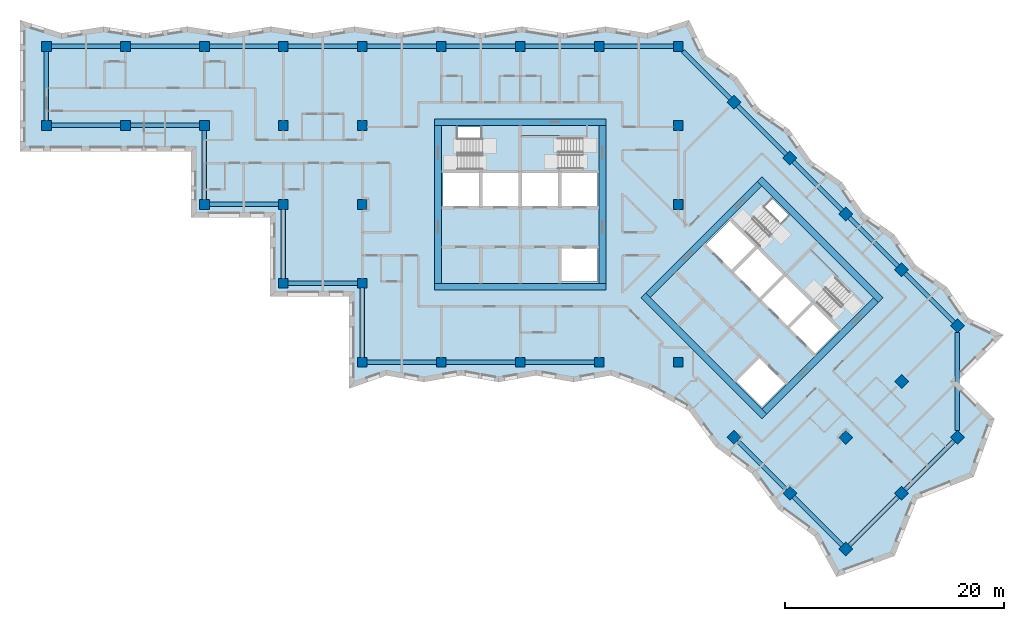
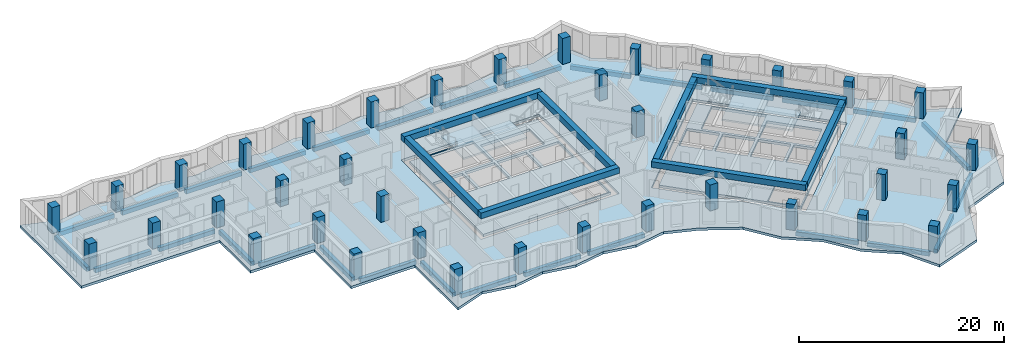
# One storey, part 1 of 12: 38 columns, 37 beams, 7 slabs, 16 openings, 4 elements without a shape of their own.
"""IFC4 building model written with IfcOpenShell, lengths in metres."""

from ifc_helpers import new_model, si_unit, direction, frame, origin, origin_2d, place, context, subcontext, project, spatial, polyline, rectangle, outline, extrude, material, layer, layer_set, material_profile, profile_set, type_object, element, aggregate, save


model = new_model("IFC4")

# Units and contexts
model_context = context("Model", 3, precision=1e-05, world=origin(), true_north=direction((0.0, 1.0)))
body_context = subcontext(model_context, "Body", "Model", "MODEL_VIEW")
ifc_project = project(units=[si_unit("LENGTHUNIT", "METRE"), si_unit("AREAUNIT", "SQUARE_METRE"), si_unit("VOLUMEUNIT", "CUBIC_METRE"), si_unit("PLANEANGLEUNIT", "RADIAN"), si_unit("MASSUNIT", "GRAM", prefix="KILO")], contexts=[model_context])

# Site, building, storey
site_placement = place(None, origin())
site = spatial("IfcSite", under=ifc_project, at=site_placement, CompositionType="ELEMENT")
building_placement = place(site_placement, origin())
building = spatial("IfcBuilding", under=site, at=building_placement, Name="Windrow Commons", CompositionType="ELEMENT")
storey_placement = place(building_placement, frame((0.0, 0.0, 169.4)))
storey = spatial("IfcBuildingStorey", under=building, at=storey_placement, Name="L46", CompositionType="ELEMENT", Elevation=169.4)

# Columns
ifc_material_1 = material(Name="Concrete C50/60", Category="concrete")
ifc_material_profile_1 = material_profile(ifc_material_1, rectangle(XDim=0.9, YDim=0.9, at=origin_2d()))
ifc_profile_set_1 = profile_set([ifc_material_profile_1], Name="Concrete C50/60")
column_type = type_object("IfcColumnType", Name="RC COLUMN 900x900 C50/60", PredefinedType="COLUMN", material=ifc_profile_set_1)
for number, where, z_axis, x_axis, name in (
    (1, (21.6, 64.8, 0.0), (0.0, 0.0, 1.0), (1.0, 0.0, 0.0), "C-Z3-04I"),
    (2, (21.6, 72.0, 0.0), (0.0, 0.0, 1.0), (1.0, 0.0, 0.0), "C-Z3-04J"),
    (3, (28.8, 64.8, 0.0), (0.0, 0.0, 1.0), (1.0, 0.0, 0.0), "C-Z3-05I"),
    (4, (28.8, 72.0, 0.0), (0.0, 0.0, 1.0), (1.0, 0.0, 0.0), "C-Z3-05J"),
    (5, (36.0, 57.6, 0.0), (0.0, 0.0, 1.0), (1.0, 0.0, 0.0), "C-Z3-06H"),
    (6, (36.0, 64.8, 0.0), (0.0, 0.0, 1.0), (1.0, 0.0, 0.0), "C-Z3-06I"),
    (7, (36.0, 72.0, 0.0), (0.0, 0.0, 1.0), (1.0, 0.0, 0.0), "C-Z3-06J"),
    (8, (43.2, 50.4, 0.0), (0.0, 0.0, 1.0), (1.0, 0.0, 0.0), "C-Z3-07G"),
    (9, (43.2, 57.6, 0.0), (0.0, 0.0, 1.0), (1.0, 0.0, 0.0), "C-Z3-07H"),
    (10, (43.2, 64.8, 0.0), (0.0, 0.0, 1.0), (1.0, 0.0, 0.0), "C-Z3-07I"),
    (11, (43.2, 72.0, 0.0), (0.0, 0.0, 1.0), (1.0, 0.0, 0.0), "C-Z3-07J"),
    (12, (50.4, 43.2, 0.0), (0.0, 0.0, 1.0), (1.0, 0.0, 0.0), "C-Z3-08F"),
    (13, (50.4, 50.4, 0.0), (0.0, 0.0, 1.0), (1.0, 0.0, 0.0), "C-Z3-08G"),
    (14, (50.4, 57.6, 0.0), (0.0, 0.0, 1.0), (1.0, 0.0, 0.0), "C-Z3-08H"),
    (15, (50.4, 64.8, 0.0), (0.0, 0.0, 1.0), (1.0, 0.0, 0.0), "C-Z3-08I"),
    (16, (50.4, 72.0, 0.0), (0.0, 0.0, 1.0), (1.0, 0.0, 0.0), "C-Z3-08J"),
    (17, (57.6, 43.2, 0.0), (0.0, 0.0, 1.0), (1.0, 0.0, 0.0), "C-Z3-09F"),
    (18, (57.6, 72.0, 0.0), (0.0, 0.0, 1.0), (1.0, 0.0, 0.0), "C-Z3-09J"),
    (19, (64.8, 43.2, 0.0), (0.0, 0.0, 1.0), (1.0, 0.0, 0.0), "C-Z3-10F"),
    (20, (64.8, 72.0, 0.0), (0.0, 0.0, 1.0), (1.0, 0.0, 0.0), "C-Z3-10J"),
    (21, (72.0, 43.2, 0.0), (0.0, 0.0, 1.0), (1.0, 0.0, 0.0), "C-Z3-11F"),
    (22, (72.0, 72.0, 0.0), (0.0, 0.0, 1.0), (1.0, 0.0, 0.0), "C-Z3-11J"),
    (23, (79.2, 43.2, 0.0), (0.0, 0.0, 1.0), (1.0, 0.0, 0.0), "C-Z3-12F"),
    (24, (79.2, 57.6, 0.0), (0.0, 0.0, 1.0), (1.0, 0.0, 0.0), "C-Z3-12H"),
    (25, (79.2, 64.8, 0.0), (0.0, 0.0, 1.0), (1.0, 0.0, 0.0), "C-Z3-12I"),
    (26, (79.2, 72.0, 0.0), (0.0, 0.0, 1.0), (1.0, 0.0, 0.0), "C-Z3-12J"),
    (27, (84.2912, 66.9088, 0.0), (0.0, 0.0, 1.0), (0.7071067812, -0.7071067812, 0.0), "C-Z3-P2Q"),
    (28, (89.3823, 61.8177, 0.0), (0.0, 0.0, 1.0), (0.7071067812, -0.7071067812, 0.0), "C-Z3-P3Q"),
    (29, (94.4735, 56.7265, 0.0), (0.0, 0.0, 1.0), (0.7071067812, -0.7071067812, 0.0), "C-Z3-P4Q"),
    (30, (99.5647, 51.6353, 0.0), (0.0, 0.0, 1.0), (0.7071067812, -0.7071067812, 0.0), "C-Z3-P5Q"),
    (31, (84.2912, 36.3618, 0.0), (0.0, 0.0, 1.0), (0.7071067812, -0.7071067812, 0.0), "C-Z3-P5T"),
    (32, (104.6558, 46.5442, 0.0), (0.0, 0.0, 1.0), (0.7071067812, -0.7071067812, 0.0), "C-Z3-P6Q"),
    (33, (99.5647, 41.453, 0.0), (0.0, 0.0, 1.0), (0.7071067812, -0.7071067812, 0.0), "C-Z3-P6R"),
    (34, (94.4735, 36.3618, 0.0), (0.0, 0.0, 1.0), (0.7071067812, -0.7071067812, 0.0), "C-Z3-P6S"),
    (35, (89.3823, 31.2706, 0.0), (0.0, 0.0, 1.0), (0.7071067812, -0.7071067812, 0.0), "C-Z3-P6T"),
    (36, (104.6558, 36.3618, 0.0), (0.0, 0.0, 1.0), (0.7071067812, -0.7071067812, 0.0), "C-Z3-P7R"),
    (37, (99.5647, 31.2706, 0.0), (0.0, 0.0, 1.0), (0.7071067812, -0.7071067812, 0.0), "C-Z3-P7S"),
    (38, (94.4735, 26.1795, 0.0), (0.0, 0.0, 1.0), (0.7071067812, -0.7071067812, 0.0), "C-Z3-P7T"),
):
    element("IfcColumn", number, at=place(storey_placement, frame(where, z_axis=z_axis, x_axis=x_axis)), inside=storey, type_object=column_type, Name=name, PredefinedType="COLUMN", context=body_context, shape_type="SweptSolid", body=[
        extrude(rectangle(XDim=0.9, YDim=0.9, at=origin_2d()), origin(), (0.0, 0.0, 1.0), 3.1),
    ])

# Beams
ifc_material_2 = material(Name="Concrete C50/60", Category="concrete")
ifc_material_profile_2 = material_profile(ifc_material_2, rectangle(XDim=0.6, YDim=0.7, at=origin_2d()))
ifc_profile_set_2 = profile_set([ifc_material_profile_2], Name="Concrete C50/60")
beam_type_1 = type_object("IfcBeamType", Name="RC COUPLING BEAM 600x700 C50/60", PredefinedType="LINTEL", material=ifc_profile_set_2)
for number, where, z_axis, x_axis, name in (
    (39, (57.0, 50.1, 2.75), (1.0, 0.0, 0.0), (0.0, 1.0, 0.0), "Core A coupling beam outer-S"),
    (40, (57.0, 65.1, 2.75), (1.0, 0.0, 0.0), (0.0, 1.0, 0.0), "Core A coupling beam outer-N"),
):
    element("IfcBeam", number, at=place(storey_placement, frame(where, z_axis=z_axis, x_axis=x_axis)), inside=storey, type_object=beam_type_1, Name=name, PredefinedType="LINTEL", context=body_context, shape_type="SweptSolid", body=[
        extrude(rectangle(XDim=0.6, YDim=0.7, at=origin_2d()), origin(), (0.0, 0.0, 1.0), 15.6),
    ])
for number, where, z_axis, x_axis, name in (
    (41, (57.3, 50.4, 2.75), (0.0, 1.0, 0.0), (-1.0, 0.0, 0.0), "Core A coupling beam outer-W"),
    (42, (72.3, 50.4, 2.75), (0.0, 1.0, 0.0), (-1.0, 0.0, 0.0), "Core A coupling beam outer-E"),
):
    element("IfcBeam", number, at=place(storey_placement, frame(where, z_axis=z_axis, x_axis=x_axis)), inside=storey, type_object=beam_type_1, Name=name, PredefinedType="LINTEL", context=body_context, shape_type="SweptSolid", body=[
        extrude(rectangle(XDim=0.6, YDim=0.7, at=origin_2d()), origin(), (0.0, 0.0, 1.0), 14.4),
    ])
for number, where, z_axis, x_axis, name in (
    (43, (76.018, 49.3019, 2.75), (0.7071067812, -0.7071067812, 0.0), (0.7071067812, 0.7071067812, 0.0), "Core B coupling beam outer-S"),
    (44, (86.6246, 59.9085, 2.75), (0.7071067812, -0.7071067812, 0.0), (0.7071067812, 0.7071067812, 0.0), "Core B coupling beam outer-N"),
):
    element("IfcBeam", number, at=place(storey_placement, frame(where, z_axis=z_axis, x_axis=x_axis)), inside=storey, type_object=beam_type_1, Name=name, PredefinedType="LINTEL", context=body_context, shape_type="SweptSolid", body=[
        extrude(rectangle(XDim=0.6, YDim=0.7, at=origin_2d()), origin(), (0.0, 0.0, 1.0), 15.6),
    ])
for number, where, z_axis, x_axis, name in (
    (45, (76.4423, 49.3019, 2.75), (0.7071067812, 0.7071067812, 0.0), (-0.7071067812, 0.7071067812, 0.0), "Core B coupling beam outer-W"),
    (46, (87.0489, 38.6953, 2.75), (0.7071067812, 0.7071067812, 0.0), (-0.7071067812, 0.7071067812, 0.0), "Core B coupling beam outer-E"),
):
    element("IfcBeam", number, at=place(storey_placement, frame(where, z_axis=z_axis, x_axis=x_axis)), inside=storey, type_object=beam_type_1, Name=name, PredefinedType="LINTEL", context=body_context, shape_type="SweptSolid", body=[
        extrude(rectangle(XDim=0.6, YDim=0.7, at=origin_2d()), origin(), (0.0, 0.0, 1.0), 14.3999),
    ])
ifc_material_3 = material(Name="Concrete C50/60", Category="concrete")
ifc_material_profile_3 = material_profile(ifc_material_3, rectangle(XDim=0.4, YDim=0.5, at=origin_2d()))
ifc_profile_set_3 = profile_set([ifc_material_profile_3], Name="Concrete C50/60")
beam_type_2 = type_object("IfcBeamType", Name="RC EDGE BEAM 400x500 C50/60", PredefinedType="SPANDREL", material=ifc_profile_set_3)
for number, where, z_axis, x_axis, name in (
    (47, (36.0, 58.05, -0.55), (0.0, 1.0, 0.0), (-1.0, 0.0, 0.0), "Edge beam L46 001"),
    (48, (35.55, 64.8, -0.55), (-1.0, 0.0, 0.0), (0.0, -1.0, 0.0), "Edge beam L46 002"),
    (49, (28.35, 64.8, -0.55), (-1.0, 0.0, 0.0), (0.0, -1.0, 0.0), "Edge beam L46 003"),
    (50, (21.6, 65.25, -0.55), (0.0, 1.0, 0.0), (-1.0, 0.0, 0.0), "Edge beam L46 004"),
    (51, (22.05, 72.0, -0.55), (1.0, 0.0, 0.0), (0.0, 1.0, 0.0), "Edge beam L46 005"),
    (52, (29.25, 72.0, -0.55), (1.0, 0.0, 0.0), (0.0, 1.0, 0.0), "Edge beam L46 006"),
    (53, (36.45, 72.0, -0.55), (1.0, 0.0, 0.0), (0.0, 1.0, 0.0), "Edge beam L46 007"),
    (54, (43.65, 72.0, -0.55), (1.0, 0.0, 0.0), (0.0, 1.0, 0.0), "Edge beam L46 008"),
    (55, (50.85, 72.0, -0.55), (1.0, 0.0, 0.0), (0.0, 1.0, 0.0), "Edge beam L46 009"),
    (56, (58.05, 72.0, -0.55), (1.0, 0.0, 0.0), (0.0, 1.0, 0.0), "Edge beam L46 010"),
    (57, (65.25, 72.0, -0.55), (1.0, 0.0, 0.0), (0.0, 1.0, 0.0), "Edge beam L46 011"),
    (58, (72.45, 72.0, -0.55), (1.0, 0.0, 0.0), (0.0, 1.0, 0.0), "Edge beam L46 012"),
):
    element("IfcBeam", number, at=place(storey_placement, frame(where, z_axis=z_axis, x_axis=x_axis)), inside=storey, type_object=beam_type_2, Name=name, PredefinedType="SPANDREL", context=body_context, shape_type="SweptSolid", body=[
        extrude(rectangle(XDim=0.4, YDim=0.5, at=origin_2d()), origin(), (0.0, 0.0, 1.0), 6.3),
    ])
beam_1_placement = place(storey_placement, frame((79.65, 71.55, -0.55), z_axis=(0.7071067812, -0.7071067812, 0.0), x_axis=(0.7071067812, 0.7071067812, 0.0)))
element("IfcBeam", 59, at=beam_1_placement, inside=storey, type_object=beam_type_2, Name="Edge beam L46 013", PredefinedType="SPANDREL", context=body_context, shape_type="SweptSolid", body=[
    extrude(rectangle(XDim=0.4, YDim=0.5, at=origin_2d()), origin(), (0.0, 0.0, 1.0), 6.1136),
])
beam_2_placement = place(storey_placement, frame((84.6094, 66.5906, -0.55), z_axis=(0.7071067812, -0.7071067812, 0.0), x_axis=(0.7071067812, 0.7071067812, 0.0)))
element("IfcBeam", 60, at=beam_2_placement, inside=storey, type_object=beam_type_2, Name="Edge beam L46 014", PredefinedType="SPANDREL", context=body_context, shape_type="SweptSolid", body=[
    extrude(rectangle(XDim=0.4, YDim=0.5, at=origin_2d()), origin(), (0.0, 0.0, 1.0), 6.2999),
])
for number, where, z_axis, x_axis, name in (
    (61, (89.7005, 61.4995, -0.55), (0.7071067812, -0.7071067812, 0.0), (0.7071067812, 0.7071067812, 0.0), "Edge beam L46 015"),
    (62, (94.7917, 56.4083, -0.55), (0.7071067812, -0.7071067812, 0.0), (0.7071067812, 0.7071067812, 0.0), "Edge beam L46 016"),
):
    element("IfcBeam", number, at=place(storey_placement, frame(where, z_axis=z_axis, x_axis=x_axis)), inside=storey, type_object=beam_type_2, Name=name, PredefinedType="SPANDREL", context=body_context, shape_type="SweptSolid", body=[
        extrude(rectangle(XDim=0.4, YDim=0.5, at=origin_2d()), origin(), (0.0, 0.0, 1.0), 6.3),
    ])
beam_3_placement = place(storey_placement, frame((99.8829, 51.3171, -0.55), z_axis=(0.7071067812, -0.7071067812, 0.0), x_axis=(0.7071067812, 0.7071067812, 0.0)))
element("IfcBeam", 63, at=beam_3_placement, inside=storey, type_object=beam_type_2, Name="Edge beam L46 017", PredefinedType="SPANDREL", context=body_context, shape_type="SweptSolid", body=[
    extrude(rectangle(XDim=0.4, YDim=0.5, at=origin_2d()), origin(), (0.0, 0.0, 1.0), 6.2999),
])
beam_4_placement = place(storey_placement, frame((104.6558, 45.9078, -0.55), z_axis=(0.0, -1.0, 0.0), x_axis=(1.0, 0.0, 0.0)))
element("IfcBeam", 64, at=beam_4_placement, inside=storey, type_object=beam_type_2, Name="Edge beam L46 018", PredefinedType="SPANDREL", context=body_context, shape_type="SweptSolid", body=[
    extrude(rectangle(XDim=0.4, YDim=0.5, at=origin_2d()), origin(), (0.0, 0.0, 1.0), 8.9096),
])
for number, where, z_axis, x_axis, name in (
    (65, (104.3376, 36.0436, -0.55), (-0.7070988446, -0.7071147177, 0.0), (0.7071147177, -0.7070988446, 0.0), "Edge beam L46 019"),
    (66, (99.2465, 30.9524, -0.55), (-0.7071147177, -0.7070988446, 0.0), (0.7070988446, -0.7071147177, 0.0), "Edge beam L46 020"),
    (67, (94.1553, 26.4977, -0.55), (-0.7071147177, 0.7070988446, 0.0), (-0.7070988446, -0.7071147177, 0.0), "Edge beam L46 021"),
    (68, (89.0641, 31.5888, -0.55), (-0.7070988446, 0.7071147177, 0.0), (-0.7071147177, -0.7070988446, 0.0), "Edge beam L46 022"),
    (69, (71.55, 43.2, -0.55), (-1.0, 0.0, 0.0), (0.0, -1.0, 0.0), "Edge beam L46 023"),
    (70, (64.35, 43.2, -0.55), (-1.0, 0.0, 0.0), (0.0, -1.0, 0.0), "Edge beam L46 024"),
    (71, (57.15, 43.2, -0.55), (-1.0, 0.0, 0.0), (0.0, -1.0, 0.0), "Edge beam L46 025"),
    (72, (50.4, 43.65, -0.55), (0.0, 1.0, 0.0), (-1.0, 0.0, 0.0), "Edge beam L46 026"),
    (73, (49.95, 50.4, -0.55), (-1.0, 0.0, 0.0), (0.0, -1.0, 0.0), "Edge beam L46 027"),
    (74, (43.2, 50.85, -0.55), (0.0, 1.0, 0.0), (-1.0, 0.0, 0.0), "Edge beam L46 028"),
    (75, (42.75, 57.6, -0.55), (-1.0, 0.0, 0.0), (0.0, -1.0, 0.0), "Edge beam L46 029"),
):
    element("IfcBeam", number, at=place(storey_placement, frame(where, z_axis=z_axis, x_axis=x_axis)), inside=storey, type_object=beam_type_2, Name=name, PredefinedType="SPANDREL", context=body_context, shape_type="SweptSolid", body=[
        extrude(rectangle(XDim=0.4, YDim=0.5, at=origin_2d()), origin(), (0.0, 0.0, 1.0), 6.3),
    ])

# Slab, openings
ifc_material_4 = material(Name="Concrete C50/60", Category="concrete")
ifc_layer_1 = layer(ifc_material_4, 0.3)
ifc_layer_set_1 = layer_set([ifc_layer_1], Name="CORE FLOOR SLAB 300 C50/60")
slab_type_1 = type_object("IfcSlabType", Name="CORE FLOOR SLAB 300 C50/60", PredefinedType="FLOOR", material=ifc_layer_set_1)
placement_1 = place(storey_placement, frame((0.0, 0.0, -0.3)))
slab_1 = element("IfcSlab", 76, at=placement_1, inside=storey, type_object=slab_type_1, Name="S-L46-core-A", PredefinedType="FLOOR", context=body_context, shape_type="SweptSolid", body=[
    extrude(outline(polyline([(57.6, 50.4), (72.0, 50.4), (72.0, 64.8), (57.6, 64.8), (57.6, 50.4)]), holes=[polyline([(68.55, 50.55), (71.85, 50.55), (71.85, 53.55), (68.55, 53.55), (68.55, 50.55)]), polyline([(57.75, 57.45), (61.05, 57.45), (61.05, 60.45), (57.75, 60.45), (57.75, 57.45)]), polyline([(61.35, 57.45), (64.65, 57.45), (64.65, 60.45), (61.35, 60.45), (61.35, 57.45)]), polyline([(64.95, 57.45), (68.25, 57.45), (68.25, 60.45), (64.95, 60.45), (64.95, 57.45)]), polyline([(68.55, 57.45), (71.85, 57.45), (71.85, 60.45), (68.55, 60.45), (68.55, 57.45)]), polyline([(59.1, 60.75), (64.65, 60.75), (64.65, 64.65), (59.1, 64.65), (59.1, 60.75)]), polyline([(64.95, 60.75), (70.5, 60.75), (70.5, 63.705), (64.95, 63.705), (64.95, 60.75)])]), origin(), (0.0, 0.0, 1.0), 0.3),
])
opening_1_placement = place(placement_1, origin())
element("IfcOpeningElement", 77, at=opening_1_placement, cuts=slab_1, Name="Slab opening S-L46-core-A 1", PredefinedType="OPENING", context=body_context, shape_type="SweptSolid", body=[
    extrude(outline(polyline([(68.555, 50.555), (68.555, 53.545), (71.845, 53.545), (71.845, 50.555), (68.555, 50.555)])), origin(), (0.0, 0.0, 1.0), 0.3),
])
opening_2_placement = place(placement_1, origin())
element("IfcOpeningElement", 78, at=opening_2_placement, cuts=slab_1, Name="Slab opening S-L46-core-A 2", PredefinedType="OPENING", context=body_context, shape_type="SweptSolid", body=[
    extrude(outline(polyline([(57.755, 57.455), (57.755, 60.445), (61.045, 60.445), (61.045, 57.455), (57.755, 57.455)])), origin(), (0.0, 0.0, 1.0), 0.3),
])
opening_3_placement = place(placement_1, origin())
element("IfcOpeningElement", 79, at=opening_3_placement, cuts=slab_1, Name="Slab opening S-L46-core-A 3", PredefinedType="OPENING", context=body_context, shape_type="SweptSolid", body=[
    extrude(outline(polyline([(61.355, 57.455), (61.355, 60.445), (64.645, 60.445), (64.645, 57.455), (61.355, 57.455)])), origin(), (0.0, 0.0, 1.0), 0.3),
])
opening_4_placement = place(placement_1, origin())
element("IfcOpeningElement", 80, at=opening_4_placement, cuts=slab_1, Name="Slab opening S-L46-core-A 4", PredefinedType="OPENING", context=body_context, shape_type="SweptSolid", body=[
    extrude(outline(polyline([(64.955, 57.455), (64.955, 60.445), (68.245, 60.445), (68.245, 57.455), (64.955, 57.455)])), origin(), (0.0, 0.0, 1.0), 0.3),
])
opening_5_placement = place(placement_1, origin())
element("IfcOpeningElement", 81, at=opening_5_placement, cuts=slab_1, Name="Slab opening S-L46-core-A 5", PredefinedType="OPENING", context=body_context, shape_type="SweptSolid", body=[
    extrude(outline(polyline([(68.555, 57.455), (68.555, 60.445), (71.845, 60.445), (71.845, 57.455), (68.555, 57.455)])), origin(), (0.0, 0.0, 1.0), 0.3),
])
opening_6_placement = place(placement_1, origin())
element("IfcOpeningElement", 82, at=opening_6_placement, cuts=slab_1, Name="Slab opening S-L46-core-A 6", PredefinedType="OPENING", context=body_context, shape_type="SweptSolid", body=[
    extrude(outline(polyline([(59.105, 60.755), (59.105, 64.645), (64.645, 64.645), (64.645, 60.755), (59.105, 60.755)])), origin(), (0.0, 0.0, 1.0), 0.3),
])
opening_7_placement = place(placement_1, origin())
element("IfcOpeningElement", 83, at=opening_7_placement, cuts=slab_1, Name="Slab opening S-L46-core-A 7", PredefinedType="OPENING", context=body_context, shape_type="SweptSolid", body=[
    extrude(outline(polyline([(64.955, 60.755), (64.955, 63.7), (70.495, 63.7), (70.495, 60.755), (64.955, 60.755)])), origin(), (0.0, 0.0, 1.0), 0.3),
])

slab_2 = element("IfcSlab", 84, at=placement_1, inside=storey, type_object=slab_type_1, Name="S-L46-core-B", PredefinedType="FLOOR", context=body_context, shape_type="SweptSolid", body=[
    extrude(outline(polyline([(76.6544, 49.0897), (86.8368, 38.9074), (97.0191, 49.0897), (86.8368, 59.2721), (76.6544, 49.0897)]), holes=[polyline([(84.5033, 41.453), (86.8368, 39.1195), (88.9581, 41.2409), (86.6246, 43.5743), (84.5033, 41.453)]), polyline([(81.7456, 53.9688), (84.079, 51.6353), (86.2004, 53.7566), (83.8669, 56.0901), (81.7456, 53.9688)]), polyline([(84.2912, 51.4232), (86.6246, 49.0897), (88.7459, 51.2111), (86.4125, 53.5445), (84.2912, 51.4232)]), polyline([(86.8368, 48.8776), (89.1702, 46.5442), (91.2915, 48.6655), (88.9581, 50.9989), (86.8368, 48.8776)]), polyline([(89.3823, 46.332), (91.7158, 43.9986), (93.8371, 46.1199), (91.5037, 48.4533), (89.3823, 46.332)]), polyline([(85.0336, 55.3476), (88.9581, 51.4232), (91.7158, 54.1809), (87.7913, 58.1054), (85.0336, 55.3476)]), polyline([(89.1702, 51.2111), (93.0946, 47.2866), (95.1841, 49.3761), (91.2597, 53.3006), (89.1702, 51.2111)])]), origin(), (0.0, 0.0, 1.0), 0.3),
])
opening_8_placement = place(placement_1, origin())
element("IfcOpeningElement", 85, at=opening_8_placement, cuts=slab_2, Name="Slab opening S-L46-core-B 1", PredefinedType="OPENING", context=body_context, shape_type="SweptSolid", body=[
    extrude(outline(polyline([(84.5104, 41.453), (86.6246, 43.5672), (88.951, 41.2409), (86.8368, 39.1266), (84.5104, 41.453)])), origin(), (0.0, 0.0, 1.0), 0.3),
])
opening_9_placement = place(placement_1, origin())
element("IfcOpeningElement", 86, at=opening_9_placement, cuts=slab_2, Name="Slab opening S-L46-core-B 2", PredefinedType="OPENING", context=body_context, shape_type="SweptSolid", body=[
    extrude(outline(polyline([(81.7527, 53.9688), (83.8669, 56.083), (86.1933, 53.7566), (84.079, 51.6424), (81.7527, 53.9688)])), origin(), (0.0, 0.0, 1.0), 0.3),
])
opening_10_placement = place(placement_1, origin())
element("IfcOpeningElement", 87, at=opening_10_placement, cuts=slab_2, Name="Slab opening S-L46-core-B 3", PredefinedType="OPENING", context=body_context, shape_type="SweptSolid", body=[
    extrude(outline(polyline([(84.2983, 51.4232), (86.4125, 53.5374), (88.7388, 51.2111), (86.6246, 49.0968), (84.2983, 51.4232)])), origin(), (0.0, 0.0, 1.0), 0.3),
])
opening_11_placement = place(placement_1, origin())
element("IfcOpeningElement", 88, at=opening_11_placement, cuts=slab_2, Name="Slab opening S-L46-core-B 4", PredefinedType="OPENING", context=body_context, shape_type="SweptSolid", body=[
    extrude(outline(polyline([(86.8439, 48.8776), (88.9581, 50.9918), (91.2844, 48.6655), (89.1702, 46.5513), (86.8439, 48.8776)])), origin(), (0.0, 0.0, 1.0), 0.3),
])
opening_12_placement = place(placement_1, origin())
element("IfcOpeningElement", 89, at=opening_12_placement, cuts=slab_2, Name="Slab opening S-L46-core-B 5", PredefinedType="OPENING", context=body_context, shape_type="SweptSolid", body=[
    extrude(outline(polyline([(89.3894, 46.332), (91.5037, 48.4462), (93.83, 46.1199), (91.7158, 44.0057), (89.3894, 46.332)])), origin(), (0.0, 0.0, 1.0), 0.3),
])
opening_13_placement = place(placement_1, origin())
element("IfcOpeningElement", 90, at=opening_13_placement, cuts=slab_2, Name="Slab opening S-L46-core-B 6", PredefinedType="OPENING", context=body_context, shape_type="SweptSolid", body=[
    extrude(outline(polyline([(85.0407, 55.3476), (87.7913, 58.0983), (91.7087, 54.1809), (88.9581, 51.4303), (85.0407, 55.3476)])), origin(), (0.0, 0.0, 1.0), 0.3),
])
opening_14_placement = place(placement_1, origin())
element("IfcOpeningElement", 91, at=opening_14_placement, cuts=slab_2, Name="Slab opening S-L46-core-B 7", PredefinedType="OPENING", context=body_context, shape_type="SweptSolid", body=[
    extrude(outline(polyline([(89.1773, 51.2111), (91.2597, 53.2935), (95.177, 49.3761), (93.0946, 47.2937), (89.1773, 51.2111)])), origin(), (0.0, 0.0, 1.0), 0.3),
])

# Stair, slab
ifc_material_5 = material(Name="Concrete C40/50", Category="concrete")
stair_type = type_object("IfcStairType", Name="Core stair", PredefinedType="HALF_TURN_STAIR", material=ifc_material_5)
placement_2 = place(storey_placement, origin())
stair_1 = element("IfcStair", 92, at=placement_2, inside=storey, type_object=stair_type, Name="L46 Exit stair A1 core A", PredefinedType="HALF_TURN_STAIR")
ifc_material_6 = material(Name="Concrete C40/50", Category="concrete")
ifc_layer_2 = layer(ifc_material_6, 0.2)
ifc_layer_set_2 = layer_set([ifc_layer_2], Name="Core stair landing")
slab_type_2 = type_object("IfcSlabType", Name="Core stair landing", PredefinedType="LANDING", material=ifc_layer_set_2)
placement_3 = place(storey_placement, frame((0.0, 0.0, 1.5)))
slab_3 = element("IfcSlab", 93, at=placement_3, type_object=slab_type_2, Name="ST-A1 landing 1", PredefinedType="LANDING", context=body_context, shape_type="SweptSolid", body=[
    extrude(outline(polyline([(61.22, 60.5), (64.8, 60.5), (64.8, 64.9), (61.22, 64.9), (61.22, 60.5)])), origin(), (0.0, 0.0, 1.0), 0.2),
])
aggregate(stair_1, [slab_3])

stair_2 = element("IfcStair", 94, at=placement_2, inside=storey, type_object=stair_type, Name="L46 Exit stair A2 core A", PredefinedType="HALF_TURN_STAIR")
slab_4 = element("IfcSlab", 95, at=placement_3, type_object=slab_type_2, Name="ST-A2 landing 1", PredefinedType="LANDING", context=body_context, shape_type="SweptSolid", body=[
    extrude(outline(polyline([(64.8, 60.5), (68.38, 60.5), (68.38, 63.855), (64.8, 63.855), (64.8, 60.5)])), origin(), (0.0, 0.0, 1.0), 0.2),
])
aggregate(stair_2, [slab_4])

stair_3 = element("IfcStair", 96, at=placement_2, inside=storey, type_object=stair_type, Name="L46 Exit stair B1 core B", PredefinedType="HALF_TURN_STAIR")
slab_5 = element("IfcSlab", 97, at=placement_3, type_object=slab_type_2, Name="ST-B1 landing 1", PredefinedType="LANDING", context=body_context, shape_type="SweptSolid", body=[
    extrude(outline(polyline([(86.3559, 53.6718), (88.8874, 51.1403), (91.9986, 54.2516), (89.4672, 56.7831), (86.3559, 53.6718)])), origin(), (0.0, 0.0, 1.0), 0.2),
])
aggregate(stair_3, [slab_5])

stair_4 = element("IfcStair", 98, at=placement_2, inside=storey, type_object=stair_type, Name="L46 Exit stair B2 core B", PredefinedType="HALF_TURN_STAIR")
slab_6 = element("IfcSlab", 99, at=placement_3, type_object=slab_type_2, Name="ST-B2 landing 1", PredefinedType="LANDING", context=body_context, shape_type="SweptSolid", body=[
    extrude(outline(polyline([(88.8874, 51.1403), (91.4188, 48.6089), (93.7911, 50.9812), (91.2597, 53.5127), (88.8874, 51.1403)])), origin(), (0.0, 0.0, 1.0), 0.2),
])
aggregate(stair_4, [slab_6])

# Slab, openings
ifc_material_7 = material(Name="Concrete C50/60", Category="concrete")
ifc_layer_3 = layer(ifc_material_7, 0.3)
ifc_layer_set_3 = layer_set([ifc_layer_3], Name="FLOOR SLAB 300 C50/60")
slab_type_3 = type_object("IfcSlabType", Name="FLOOR SLAB 300 C50/60", PredefinedType="FLOOR", material=ifc_layer_set_3)
slab_7 = element("IfcSlab", 100, at=placement_1, inside=storey, type_object=slab_type_3, Name="S-L46-floor", PredefinedType="FLOOR", context=body_context, shape_type="SweptSolid", body=[
    extrude(outline(polyline([(91.6126, 27.3433), (93.6229, 23.6318), (98.9267, 25.5415), (100.9778, 30.7039), (106.1403, 32.7551), (108.05, 38.0589), (104.6558, 41.453), (108.9007, 45.6977), (105.6579, 47.2392), (103.6922, 50.0577), (100.8737, 52.0234), (98.908, 54.8419), (96.0895, 56.8076), (94.1238, 59.6261), (91.3053, 61.5918), (89.3396, 64.4103), (86.5211, 66.376), (84.5553, 69.1945), (81.7369, 71.1602), (80.1954, 74.403), (76.383, 73.2), (72.5706, 73.803), (68.7582, 73.2), (64.9458, 73.803), (61.1334, 73.2), (57.321, 73.803), (53.5086, 73.2), (49.6962, 73.803), (45.8838, 73.2), (42.0714, 73.803), (38.259, 73.2), (34.4466, 73.803), (30.6342, 73.2), (26.8218, 73.803), (23.0094, 73.2), (19.197, 74.403), (19.197, 62.397), (34.8, 62.397), (34.8, 56.4), (42.0, 56.4), (42.0, 49.2), (49.2, 49.2), (49.2, 40.797), (52.6072, 42.0), (56.0144, 41.397), (59.4216, 42.0), (62.8288, 41.397), (66.236, 42.0), (69.6432, 41.397), (73.0504, 42.0), (76.4576, 40.797), (80.1691, 38.7868), (82.6036, 35.4995), (85.8909, 33.065), (88.3254, 29.7778), (91.6126, 27.3433)]), holes=[polyline([(75.8059, 49.0897), (86.8368, 60.1206), (97.8676, 49.0897), (86.8368, 38.0589), (75.8059, 49.0897)]), polyline([(57.0, 49.8), (57.0, 65.4), (72.6, 65.4), (72.6, 49.8), (57.0, 49.8)])]), origin(), (0.0, 0.0, 1.0), 0.3),
])
opening_15_placement = place(placement_1, origin())
element("IfcOpeningElement", 101, at=opening_15_placement, cuts=slab_7, Name="Slab opening S-L46-floor 1", PredefinedType="OPENING", context=body_context, shape_type="SweptSolid", body=[
    extrude(outline(polyline([(75.813, 49.0897), (86.8368, 60.1135), (97.8605, 49.0897), (86.8368, 38.066), (75.813, 49.0897)])), origin(), (0.0, 0.0, 1.0), 0.3),
])
opening_16_placement = place(placement_1, origin())
element("IfcOpeningElement", 102, at=opening_16_placement, cuts=slab_7, Name="Slab opening S-L46-floor 2", PredefinedType="OPENING", context=body_context, shape_type="SweptSolid", body=[
    extrude(outline(polyline([(57.005, 49.805), (57.005, 65.395), (72.595, 65.395), (72.595, 49.805), (57.005, 49.805)])), origin(), (0.0, 0.0, 1.0), 0.3),
])

save(model, "model.ifc")
